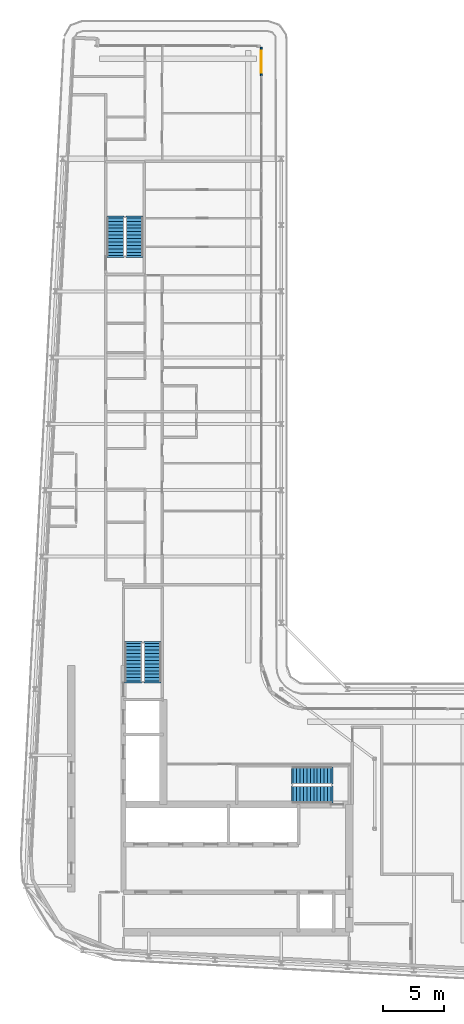
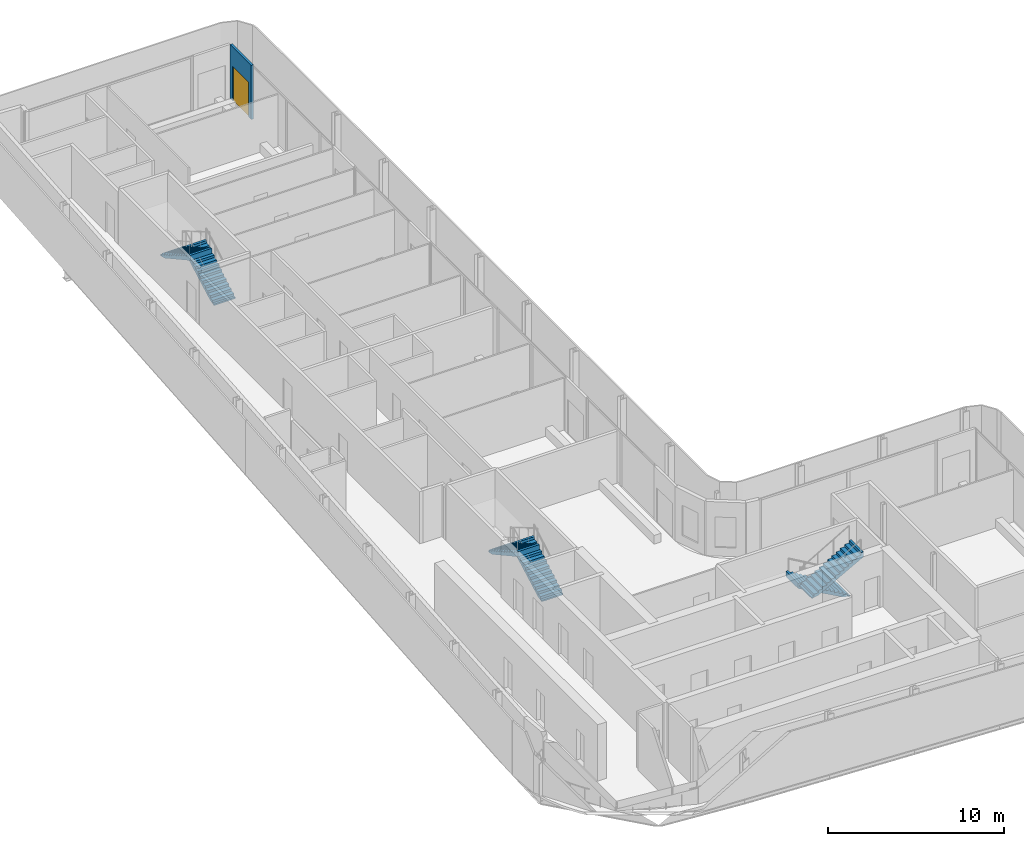
# One storey, part 15 of 21: 6 stair flights, 1 door, 1 wall, 1 opening, 3 elements without a shape of their own.
"""IFC4 building model written with IfcOpenShell, lengths in metres."""

from ifc_helpers import new_model, si_unit, direction, frame, frame_2d, origin, place, context, subcontext, project, spatial, polyline, rectangle, outline, extrude, source, transform, mapped, material, layer, layer_set, type_object, element, fill, aggregate, save


model = new_model("IFC4")

# Units and contexts
model_context = context("Model", 3, precision=1e-05, world=origin(), true_north=direction((0.0, 1.0)))
body_context = subcontext(model_context, "Body", "Model", "MODEL_VIEW")
ifc_project = project(units=[si_unit("LENGTHUNIT", "METRE"), si_unit("AREAUNIT", "SQUARE_METRE"), si_unit("VOLUMEUNIT", "CUBIC_METRE"), si_unit("PLANEANGLEUNIT", "RADIAN"), si_unit("MASSUNIT", "GRAM", prefix="KILO")], contexts=[model_context])

# Site, building, storey
site_placement = place(None, origin())
site = spatial("IfcSite", under=ifc_project, at=site_placement, CompositionType="ELEMENT")
building_placement = place(site_placement, origin())
building = spatial("IfcBuilding", under=site, at=building_placement, Name="Kheshtan School and Residences Tower", CompositionType="ELEMENT")
storey_placement = place(building_placement, frame((0.0, 0.0, 282.5)))
storey = spatial("IfcBuildingStorey", under=building, at=storey_placement, Name="L66", CompositionType="ELEMENT", Elevation=282.5)

# Wall, opening, door
ifc_material_1 = material(Name="Aluminium frame wall with insulated infill", Category="aluminium")
ifc_layer_1 = layer(ifc_material_1, 0.14990234375)
ifc_layer_set_1 = layer_set([ifc_layer_1], Name="Glazing frame wall 150")
wall_type = type_object("IfcWallType", Name="Glazing frame wall 150", PredefinedType="SOLIDWALL", material=ifc_layer_set_1)
wall_placement = place(storey_placement, frame((45.97509765625, 97.89990234375, 0.0), z_axis=(0.0, 0.0, 1.0), x_axis=(0.0, -1.0, 0.0)))
wall = element("IfcWall", 1, at=wall_placement, inside=storey, type_object=wall_type, Name="Balcony door wall L66 8.1", PredefinedType="SOLIDWALL", context=body_context, shape_type="SweptSolid", body=[
    extrude(rectangle(XDim=2.39990234375, YDim=0.14990234375, at=frame_2d((1.199951171875, 0.0))), origin(), (0.0, 0.0, 1.0), 3.75),
])
opening_placement = place(wall_placement, frame((0.300048828125, 0.0, 0.0)))
opening = element("IfcOpeningElement", 2, at=opening_placement, cuts=wall, Name="Opening BD", PredefinedType="OPENING", context=body_context, shape_type="SweptSolid", body=[
    extrude(rectangle(XDim=1.800048828125, YDim=2.39990234375, at=frame_2d((0.89990234375, 1.199951171875))), frame((0.0, 0.0849609375, 0.0), z_axis=(0.0, -1.0, 0.0), x_axis=(1.0, 0.0, 0.0)), (0.0, 0.0, 1.0), 0.169921875),
])
ifc_material_2 = material(Name="Clear low-e glass in thermally broken aluminium frame", Category="aluminium")
door_type = type_object("IfcDoorType", Name="Balcony sliding door", OperationType="SLIDING_TO_LEFT", PredefinedType="DOOR", material=ifc_material_2)
shared_shape = source(origin(), body_context, "Body", "SweptSolid", [
    extrude(rectangle(XDim=1.800048828125, YDim=2.39990234375, at=frame_2d((0.89990234375, 1.199951171875))), frame((0.0, 0.02490234375, 0.0), z_axis=(0.0, -1.0, 0.0), x_axis=(1.0, 0.0, 0.0)), (0.0, 0.0, 1.0), 0.050048828125),
])
door_placement = place(opening_placement, origin())
door = element("IfcDoor", 3, at=door_placement, inside=storey, type_object=door_type, Name="Balcony door L66 8.1", OperationType="SLIDING_TO_LEFT", OverallHeight=2.39990234375, OverallWidth=1.800048828125, PredefinedType="DOOR", context=body_context, shape_type="MappedRepresentation", body=[
    mapped(shared_shape, transform((0.0, 0.0, 0.0), x_axis=(1.0, 0.0, 0.0), y_axis=(0.0, 1.0, 0.0), z_axis=(0.0, 0.0, 1.0), scale=1.0)),
])
fill(opening, door)

# Stair, stair flights
ifc_material_3 = material(Name="Concrete C40/50", Category="concrete")
stair_type = type_object("IfcStairType", Name="Exit stair, half-turn", PredefinedType="HALF_TURN_STAIR", material=ifc_material_3)
stair_1_placement = place(storey_placement, origin())
stair_1 = element("IfcStair", 4, at=stair_1_placement, inside=storey, type_object=stair_type, Name="L66 Protected Exit Stair ST1", PredefinedType="HALF_TURN_STAIR")
ifc_layer_2 = layer(ifc_material_3, 0.14990234375)
ifc_layer_set_2 = layer_set([ifc_layer_2], Name="Stair flight 1400 Concrete C40/50")
stair_flight_type = type_object("IfcStairFlightType", Name="Stair flight 1400 Concrete C40/50", PredefinedType="STRAIGHT", material=ifc_layer_set_2)
stair_flight_1_placement = place(storey_placement, frame((51.64990234375, 38.550048828125, 0.0), z_axis=(0.0, 0.0, 1.0), x_axis=(-1.0, 0.0, 0.0)))
stair_flight_1 = element("IfcStairFlight", 5, at=stair_flight_1_placement, type_object=stair_flight_type, Name="ST1 flight 1", NumberOfRisers=12, NumberOfTreads=11, PredefinedType="STRAIGHT", RiserHeight=0.1625, TreadLength=0.28, context=body_context, shape_type="SweptSolid", body=[
    extrude(outline(polyline([(-0.14990234375, -0.10009765625), (-0.14990234375, 0.0), (0.0, 0.0), (0.0, 0.16259765625), (0.280029296875, 0.16259765625), (0.280029296875, 0.324951171875), (0.56005859375, 0.324951171875), (0.56005859375, 0.487548828125), (0.840087890625, 0.487548828125), (0.840087890625, 0.64990234375), (1.1201171875, 0.64990234375), (1.1201171875, 0.8125), (1.39990234375, 0.8125), (1.39990234375, 0.97509765625), (1.679931640625, 0.97509765625), (1.679931640625, 1.137451171875), (1.9599609375, 1.137451171875), (1.9599609375, 1.300048828125), (2.239990234375, 1.300048828125), (2.239990234375, 1.46240234375), (2.52001953125, 1.46240234375), (2.52001953125, 1.625), (2.800048828125, 1.625), (2.800048828125, 1.78759765625), (3.080078125, 1.78759765625), (3.080078125, 1.949951171875), (3.080078125, 1.969970703125), (3.22998046875, 1.969970703125), (3.22998046875, 1.6142578125), (0.298583984375, 0.0), (-0.14990234375, -0.10009765625)])), frame((0.0, 0.699951171875, 0.0), z_axis=(0.0, -1.0, 0.0), x_axis=(1.0, 0.0, 0.0)), (0.0, 0.0, 1.0), 1.39990234375),
])
stair_flight_2_placement = place(storey_placement, frame((48.570068359375, 37.0, 1.949951171875), z_axis=(0.0, 0.0, 1.0), x_axis=(1.0, 0.0, 0.0)))
stair_flight_2 = element("IfcStairFlight", 6, at=stair_flight_2_placement, type_object=stair_flight_type, Name="ST1 flight 2", NumberOfRisers=12, NumberOfTreads=11, PredefinedType="STRAIGHT", RiserHeight=0.1625, TreadLength=0.28, context=body_context, shape_type="SweptSolid", body=[
    extrude(outline(polyline([(-0.14990234375, -0.10009765625), (-0.14990234375, 0.0), (0.0, 0.0), (0.0, 0.16259765625), (0.280029296875, 0.16259765625), (0.280029296875, 0.324951171875), (0.56005859375, 0.324951171875), (0.56005859375, 0.487548828125), (0.840087890625, 0.487548828125), (0.840087890625, 0.64990234375), (1.1201171875, 0.64990234375), (1.1201171875, 0.8125), (1.39990234375, 0.8125), (1.39990234375, 0.97509765625), (1.679931640625, 0.97509765625), (1.679931640625, 1.137451171875), (1.9599609375, 1.137451171875), (1.9599609375, 1.300048828125), (2.239990234375, 1.300048828125), (2.239990234375, 1.46240234375), (2.52001953125, 1.46240234375), (2.52001953125, 1.625), (2.800048828125, 1.625), (2.800048828125, 1.78759765625), (3.080078125, 1.78759765625), (3.080078125, 1.949951171875), (3.080078125, 1.969970703125), (3.22998046875, 1.969970703125), (3.22998046875, 1.6142578125), (0.298583984375, 0.0), (-0.14990234375, -0.10009765625)])), frame((0.0, 0.699951171875, 0.0), z_axis=(0.0, -1.0, 0.0), x_axis=(1.0, 0.0, 0.0)), (0.0, 0.0, 1.0), 1.39990234375),
])
aggregate(stair_1, [stair_flight_1, stair_flight_2])

stair_2_placement = place(storey_placement, origin())
stair_2 = element("IfcStair", 7, at=stair_2_placement, inside=storey, type_object=stair_type, Name="L66 Protected Exit Stair ST2", PredefinedType="HALF_TURN_STAIR")
stair_flight_3_placement = place(storey_placement, frame((37.10009765625, 46.25, 0.0), z_axis=(0.0, 0.0, 1.0), x_axis=(0.0, 1.0, 0.0)))
stair_flight_3 = element("IfcStairFlight", 8, at=stair_flight_3_placement, type_object=stair_flight_type, Name="ST2 flight 1", NumberOfRisers=12, NumberOfTreads=11, PredefinedType="STRAIGHT", RiserHeight=0.1625, TreadLength=0.28, context=body_context, shape_type="SweptSolid", body=[
    extrude(outline(polyline([(-0.14990234375, -0.10009765625), (-0.14990234375, 0.0), (0.0, 0.0), (0.0, 0.16259765625), (0.280029296875, 0.16259765625), (0.280029296875, 0.324951171875), (0.56005859375, 0.324951171875), (0.56005859375, 0.487548828125), (0.840087890625, 0.487548828125), (0.840087890625, 0.64990234375), (1.1201171875, 0.64990234375), (1.1201171875, 0.8125), (1.39990234375, 0.8125), (1.39990234375, 0.97509765625), (1.679931640625, 0.97509765625), (1.679931640625, 1.137451171875), (1.9599609375, 1.137451171875), (1.9599609375, 1.300048828125), (2.239990234375, 1.300048828125), (2.239990234375, 1.46240234375), (2.52001953125, 1.46240234375), (2.52001953125, 1.625), (2.800048828125, 1.625), (2.800048828125, 1.78759765625), (3.080078125, 1.78759765625), (3.080078125, 1.949951171875), (3.080078125, 1.969970703125), (3.22998046875, 1.969970703125), (3.22998046875, 1.6142578125), (0.298583984375, 0.0), (-0.14990234375, -0.10009765625)])), frame((0.0, 0.699951171875, 0.0), z_axis=(0.0, -1.0, 0.0), x_axis=(1.0, 0.0, 0.0)), (0.0, 0.0, 1.0), 1.39990234375),
])
stair_flight_4_placement = place(storey_placement, frame((35.550048828125, 49.330078125, 1.949951171875), z_axis=(0.0, 0.0, 1.0), x_axis=(0.0, -1.0, 0.0)))
stair_flight_4 = element("IfcStairFlight", 9, at=stair_flight_4_placement, type_object=stair_flight_type, Name="ST2 flight 2", NumberOfRisers=12, NumberOfTreads=11, PredefinedType="STRAIGHT", RiserHeight=0.1625, TreadLength=0.28, context=body_context, shape_type="SweptSolid", body=[
    extrude(outline(polyline([(-0.14990234375, -0.10009765625), (-0.14990234375, 0.0), (0.0, 0.0), (0.0, 0.16259765625), (0.280029296875, 0.16259765625), (0.280029296875, 0.324951171875), (0.56005859375, 0.324951171875), (0.56005859375, 0.487548828125), (0.840087890625, 0.487548828125), (0.840087890625, 0.64990234375), (1.1201171875, 0.64990234375), (1.1201171875, 0.8125), (1.39990234375, 0.8125), (1.39990234375, 0.97509765625), (1.679931640625, 0.97509765625), (1.679931640625, 1.137451171875), (1.9599609375, 1.137451171875), (1.9599609375, 1.300048828125), (2.239990234375, 1.300048828125), (2.239990234375, 1.46240234375), (2.52001953125, 1.46240234375), (2.52001953125, 1.625), (2.800048828125, 1.625), (2.800048828125, 1.78759765625), (3.080078125, 1.78759765625), (3.080078125, 1.949951171875), (3.080078125, 1.969970703125), (3.22998046875, 1.969970703125), (3.22998046875, 1.6142578125), (0.298583984375, 0.0), (-0.14990234375, -0.10009765625)])), frame((0.0, 0.699951171875, 0.0), z_axis=(0.0, -1.0, 0.0), x_axis=(1.0, 0.0, 0.0)), (0.0, 0.0, 1.0), 1.39990234375),
])
aggregate(stair_2, [stair_flight_3, stair_flight_4])

stair_3_placement = place(storey_placement, origin())
stair_3 = element("IfcStair", 10, at=stair_3_placement, inside=storey, type_object=stair_type, Name="L66 Protected Exit Stair ST3", PredefinedType="HALF_TURN_STAIR")
stair_flight_5_placement = place(storey_placement, frame((35.64990234375, 80.89990234375, 0.0), z_axis=(0.0, 0.0, 1.0), x_axis=(0.0, 1.0, 0.0)))
stair_flight_5 = element("IfcStairFlight", 11, at=stair_flight_5_placement, type_object=stair_flight_type, Name="ST3 flight 1", NumberOfRisers=12, NumberOfTreads=11, PredefinedType="STRAIGHT", RiserHeight=0.1625, TreadLength=0.28, context=body_context, shape_type="SweptSolid", body=[
    extrude(outline(polyline([(-0.14990234375, -0.10009765625), (-0.14990234375, 0.0), (0.0, 0.0), (0.0, 0.16259765625), (0.280029296875, 0.16259765625), (0.280029296875, 0.324951171875), (0.56005859375, 0.324951171875), (0.56005859375, 0.487548828125), (0.840087890625, 0.487548828125), (0.840087890625, 0.64990234375), (1.1201171875, 0.64990234375), (1.1201171875, 0.8125), (1.39990234375, 0.8125), (1.39990234375, 0.97509765625), (1.679931640625, 0.97509765625), (1.679931640625, 1.137451171875), (1.9599609375, 1.137451171875), (1.9599609375, 1.300048828125), (2.239990234375, 1.300048828125), (2.239990234375, 1.46240234375), (2.52001953125, 1.46240234375), (2.52001953125, 1.625), (2.800048828125, 1.625), (2.800048828125, 1.78759765625), (3.080078125, 1.78759765625), (3.080078125, 1.949951171875), (3.080078125, 1.969970703125), (3.22998046875, 1.969970703125), (3.22998046875, 1.6142578125), (0.298583984375, 0.0), (-0.14990234375, -0.10009765625)])), frame((0.0, 0.699951171875, 0.0), z_axis=(0.0, -1.0, 0.0), x_axis=(1.0, 0.0, 0.0)), (0.0, 0.0, 1.0), 1.39990234375),
])
stair_flight_6_placement = place(storey_placement, frame((34.10009765625, 83.97998046875, 1.949951171875), z_axis=(0.0, 0.0, 1.0), x_axis=(0.0, -1.0, 0.0)))
stair_flight_6 = element("IfcStairFlight", 12, at=stair_flight_6_placement, type_object=stair_flight_type, Name="ST3 flight 2", NumberOfRisers=12, NumberOfTreads=11, PredefinedType="STRAIGHT", RiserHeight=0.1625, TreadLength=0.28, context=body_context, shape_type="SweptSolid", body=[
    extrude(outline(polyline([(-0.14990234375, -0.10009765625), (-0.14990234375, 0.0), (0.0, 0.0), (0.0, 0.16259765625), (0.280029296875, 0.16259765625), (0.280029296875, 0.324951171875), (0.56005859375, 0.324951171875), (0.56005859375, 0.487548828125), (0.840087890625, 0.487548828125), (0.840087890625, 0.64990234375), (1.1201171875, 0.64990234375), (1.1201171875, 0.8125), (1.39990234375, 0.8125), (1.39990234375, 0.97509765625), (1.679931640625, 0.97509765625), (1.679931640625, 1.137451171875), (1.9599609375, 1.137451171875), (1.9599609375, 1.300048828125), (2.239990234375, 1.300048828125), (2.239990234375, 1.46240234375), (2.52001953125, 1.46240234375), (2.52001953125, 1.625), (2.800048828125, 1.625), (2.800048828125, 1.78759765625), (3.080078125, 1.78759765625), (3.080078125, 1.949951171875), (3.080078125, 1.969970703125), (3.22998046875, 1.969970703125), (3.22998046875, 1.6142578125), (0.298583984375, 0.0), (-0.14990234375, -0.10009765625)])), frame((0.0, 0.699951171875, 0.0), z_axis=(0.0, -1.0, 0.0), x_axis=(1.0, 0.0, 0.0)), (0.0, 0.0, 1.0), 1.39990234375),
])
aggregate(stair_3, [stair_flight_5, stair_flight_6])

save(model, "model.ifc")
